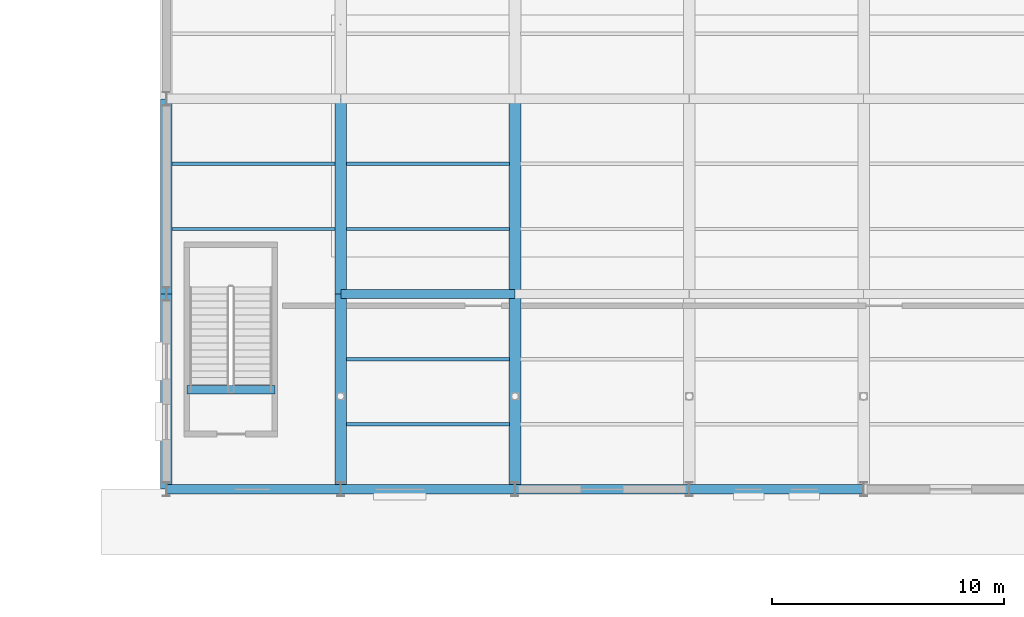
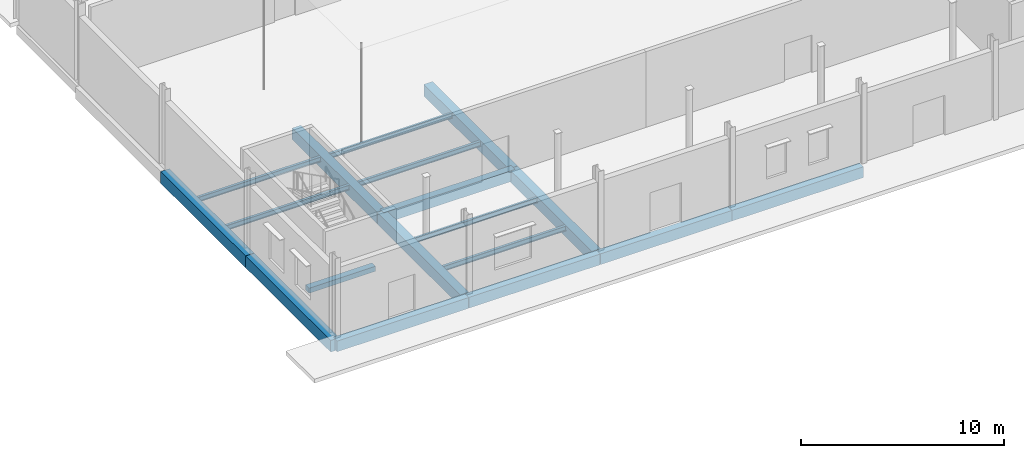
# One storey, part 28 of 82: 18 beams.
"""IFC4 building model written with IfcOpenShell, lengths in metres."""

from ifc_helpers import new_model, si_unit, direction, frame, origin, origin_2d, place, context, subcontext, project, spatial, rectangle, i_section, extrude, material, material_profile, profile_set, type_object, element, save


model = new_model("IFC4")

# Units and contexts
model_context = context("Model", 3, precision=1e-05, world=origin(), true_north=direction((0.0, 1.0)))
body_context = subcontext(model_context, "Body", "Model", "MODEL_VIEW")
ifc_project = project(units=[si_unit("LENGTHUNIT", "METRE"), si_unit("AREAUNIT", "SQUARE_METRE"), si_unit("VOLUMEUNIT", "CUBIC_METRE"), si_unit("PLANEANGLEUNIT", "RADIAN"), si_unit("MASSUNIT", "GRAM", prefix="KILO")], contexts=[model_context])

# Site, building, storey
site_placement = place(None, origin())
site = spatial("IfcSite", under=ifc_project, at=site_placement, CompositionType="ELEMENT")
building_placement = place(site_placement, origin())
building = spatial("IfcBuilding", under=site, at=building_placement, Name="Yukiwa Park Conservatory and Herbarium", CompositionType="ELEMENT")
storey_placement = place(building_placement, origin())
storey = spatial("IfcBuildingStorey", under=building, at=storey_placement, Name="L00", CompositionType="ELEMENT", Elevation=0.0)

# Beams
ifc_material_1 = material(Name="Steel Q355D", Category="steel")
ifc_material_profile_1 = material_profile(ifc_material_1, i_section(OverallWidth=0.14892578125, OverallDepth=0.298095703125, WebThickness=0.005615234375, FlangeThickness=0.008056640625, FilletRadius=0.012939453125, at=origin_2d()), Name="HN 298x149x5.5x8")
ifc_profile_set_1 = profile_set([ifc_material_profile_1], Name="Steel Q355D")
beam_type_1 = type_object("IfcBeamType", Name="BM-JST-HN298", PredefinedType="JOIST", material=ifc_profile_set_1)
for number, where, z_axis, x_axis, name in (
    (1, (15.24609375, 89.199951171875, -0.408935546875), (1.0, 0.0, 0.0), (0.0, 1.0, 0.0), "L00 composite floor joist 19"),
    (2, (15.24609375, 92.0, -0.408935546875), (1.0, 0.0, 0.0), (0.0, 1.0, 0.0), "L00 composite floor joist 20"),
    (3, (22.74609375, 80.800048828125, -0.408935546875), (1.0, 0.0, 0.0), (0.0, 1.0, 0.0), "L00 composite floor joist 31"),
    (4, (22.74609375, 83.60009765625, -0.408935546875), (1.0, 0.0, 0.0), (0.0, 1.0, 0.0), "L00 composite floor joist 32"),
    (5, (22.74609375, 89.199951171875, -0.408935546875), (1.0, 0.0, 0.0), (0.0, 1.0, 0.0), "L00 composite floor joist 33"),
    (6, (22.74609375, 92.0, -0.408935546875), (1.0, 0.0, 0.0), (0.0, 1.0, 0.0), "L00 composite floor joist 34"),
):
    element("IfcBeam", number, at=place(storey_placement, frame(where, z_axis=z_axis, x_axis=x_axis)), inside=storey, type_object=beam_type_1, Name=name, PredefinedType="JOIST", context=body_context, shape_type="SweptSolid", body=[
        extrude(i_section(OverallWidth=0.14892578125, OverallDepth=0.298095703125, WebThickness=0.005615234375, FlangeThickness=0.008056640625, FilletRadius=0.012939453125, at=origin_2d()), origin(), (0.0, 0.0, 1.0), 7.0078125),
    ])
ifc_material_2 = material(Name="Concrete C40", Category="concrete")
ifc_material_profile_2 = material_profile(ifc_material_2, rectangle(XDim=0.39990234375, YDim=0.64990234375, at=origin_2d()), Name="RC 400x650")
ifc_profile_set_2 = profile_set([ifc_material_profile_2], Name="Concrete C40")
beam_type_2 = type_object("IfcBeamType", Name="BM-RC-400X650", PredefinedType="BEAM", material=ifc_profile_set_2)
for number, where, z_axis, x_axis, name in (
    (7, (15.006103515625, 78.0, -0.5849609375), (1.0, 0.0, 0.0), (0.0, 1.0, 0.0), "L00 grid beam X-86"),
    (8, (22.506103515625, 78.0, -0.5849609375), (1.0, 0.0, 0.0), (0.0, 1.0, 0.0), "L00 grid beam X-87"),
    (9, (30.006103515625, 78.0, -0.5849609375), (1.0, 0.0, 0.0), (0.0, 1.0, 0.0), "L00 grid beam X-88"),
    (10, (37.506103515625, 78.0, -0.5849609375), (1.0, 0.0, 0.0), (0.0, 1.0, 0.0), "L00 grid beam X-89"),
    (11, (22.506103515625, 86.39990234375, -0.5849609375), (1.0, 0.0, 0.0), (0.0, 1.0, 0.0), "L00 grid beam X-105"),
):
    element("IfcBeam", number, at=place(storey_placement, frame(where, z_axis=z_axis, x_axis=x_axis)), inside=storey, type_object=beam_type_2, Name=name, PredefinedType="BEAM", context=body_context, shape_type="SweptSolid", body=[
        extrude(rectangle(XDim=0.39990234375, YDim=0.64990234375, at=origin_2d()), origin(), (0.0, 0.0, 1.0), 7.48779296875),
    ])
ifc_material_3 = material(Name="Concrete C40", Category="concrete")
ifc_material_profile_3 = material_profile(ifc_material_3, rectangle(XDim=0.5, YDim=0.699951171875, at=origin_2d()), Name="RC 500x700")
ifc_profile_set_3 = profile_set([ifc_material_profile_3], Name="Concrete C40")
beam_type_3 = type_object("IfcBeamType", Name="BM-RC-500X700", PredefinedType="BEAM", material=ifc_profile_set_3)
for number, where, z_axis, x_axis, name in (
    (12, (15.0, 78.006103515625, -0.610107421875), (0.0, 1.0, 0.0), (-1.0, 0.0, 0.0), "L00 grid girder Y-165"),
    (13, (15.0, 86.406005859375, -0.610107421875), (0.0, 1.0, 0.0), (-1.0, 0.0, 0.0), "L00 grid girder Y-166"),
    (14, (22.5, 78.006103515625, -0.610107421875), (0.0, 1.0, 0.0), (-1.0, 0.0, 0.0), "L00 grid girder Y-173"),
    (15, (22.5, 86.406005859375, -0.610107421875), (0.0, 1.0, 0.0), (-1.0, 0.0, 0.0), "L00 grid girder Y-174"),
    (16, (30.0, 78.006103515625, -0.610107421875), (0.0, 1.0, 0.0), (-1.0, 0.0, 0.0), "L00 grid girder Y-181"),
    (17, (30.0, 86.406005859375, -0.610107421875), (0.0, 1.0, 0.0), (-1.0, 0.0, 0.0), "L00 grid girder Y-182"),
):
    element("IfcBeam", number, at=place(storey_placement, frame(where, z_axis=z_axis, x_axis=x_axis)), inside=storey, type_object=beam_type_3, Name=name, PredefinedType="BEAM", context=body_context, shape_type="SweptSolid", body=[
        extrude(rectangle(XDim=0.5, YDim=0.699951171875, at=origin_2d()), origin(), (0.0, 0.0, 1.0), 8.387939453125),
    ])
ifc_material_4 = material(Name="Concrete C40", Category="concrete")
ifc_material_profile_4 = material_profile(ifc_material_4, rectangle(XDim=0.35009765625, YDim=0.300048828125, at=origin_2d()), Name="RC 350x300")
ifc_profile_set_4 = profile_set([ifc_material_profile_4], Name="Concrete C40")
beam_type_4 = type_object("IfcBeamType", Name="BM-STAIR-TRIM", PredefinedType="BEAM", material=ifc_profile_set_4)
beam_placement = place(storey_placement, frame((15.8798828125, 82.280029296875, -0.14990234375), z_axis=(1.0, 0.0, 0.0), x_axis=(0.0, 1.0, 0.0)))
element("IfcBeam", 18, at=beam_placement, inside=storey, type_object=beam_type_4, Name="Stair ST-A1 L00 landing trimmer beam", PredefinedType="BEAM", context=body_context, shape_type="SweptSolid", body=[
    extrude(rectangle(XDim=0.35009765625, YDim=0.300048828125, at=origin_2d()), origin(), (0.0, 0.0, 1.0), 3.7900390625),
])

save(model, "model.ifc")
